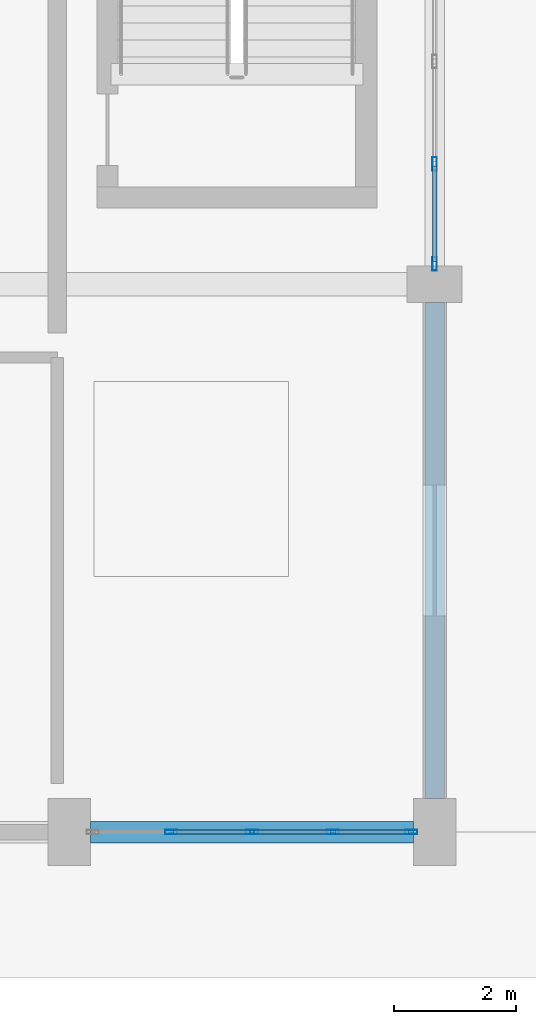
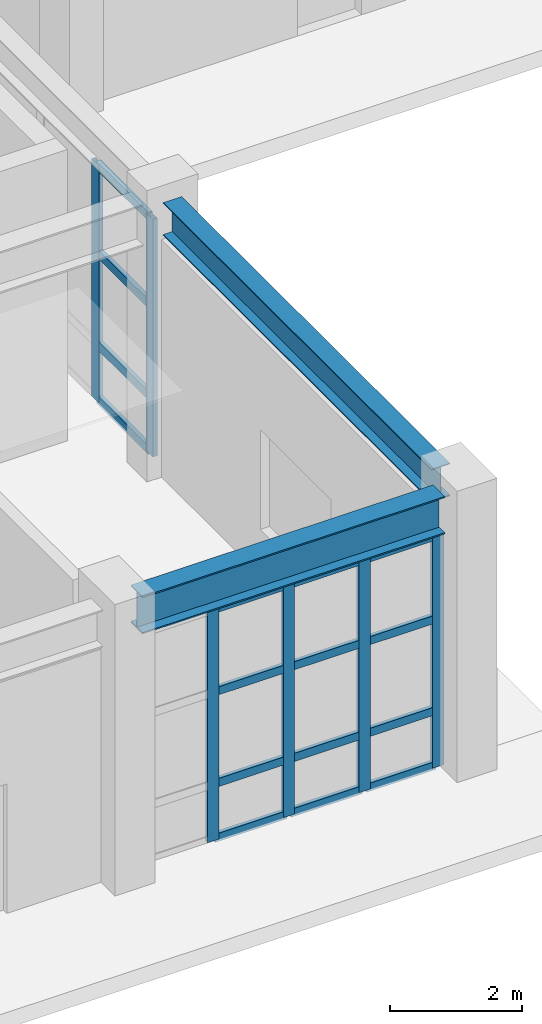
# One storey, part 20 of 91: 22 members, 2 beams, 2 elements without a shape of their own.
"""IFC4 building model written with IfcOpenShell, lengths in metres."""

from ifc_helpers import new_model, si_unit, direction, frame, origin, origin_2d, place, context, subcontext, project, spatial, hollow_rectangle, i_section, extrude, material, layer, layer_set, material_profile, profile_set, type_object, element, aggregate, save


model = new_model("IFC4")

# Units and contexts
model_context = context("Model", 3, precision=1e-05, world=origin(), true_north=direction((0.0, 1.0)))
body_context = subcontext(model_context, "Body", "Model", "MODEL_VIEW")
ifc_project = project(units=[si_unit("LENGTHUNIT", "METRE"), si_unit("AREAUNIT", "SQUARE_METRE"), si_unit("VOLUMEUNIT", "CUBIC_METRE"), si_unit("PLANEANGLEUNIT", "RADIAN"), si_unit("MASSUNIT", "GRAM", prefix="KILO")], contexts=[model_context])

# Site, building, storey
site_placement = place(None, origin())
site = spatial("IfcSite", under=ifc_project, at=site_placement, CompositionType="ELEMENT")
building_placement = place(site_placement, origin())
building = spatial("IfcBuilding", under=site, at=building_placement, Name="Vaelkrest Opera House", CompositionType="ELEMENT")
storey_placement = place(building_placement, origin())
storey = spatial("IfcBuildingStorey", under=building, at=storey_placement, Name="L00", CompositionType="ELEMENT", Elevation=0.0)

# Curtain wall, members
ifc_material_1 = material(Name="Dark bronze anodized aluminium", Category="aluminium")
ifc_layer_1 = layer(ifc_material_1, 0.18994140625)
ifc_layer_set_1 = layer_set([ifc_layer_1], Name="Dark bronze anodized aluminium")
curtain_wall_type_1 = type_object("IfcCurtainWallType", Name="CW02", PredefinedType="NOTDEFINED", material=ifc_layer_set_1)
curtain_wall_1_placement = place(storey_placement, origin())
curtain_wall_1 = element("IfcCurtainWall", 1, at=curtain_wall_1_placement, inside=storey, type_object=curtain_wall_type_1, Name="Curtain wall CW-L00-011", PredefinedType="NOTDEFINED")
ifc_material_profile_1 = material_profile(ifc_material_1, hollow_rectangle(XDim=0.070068359375, YDim=0.199951171875, WallThickness=0.004150390625, at=origin_2d()), Name="CWM70X200")
ifc_profile_set_1 = profile_set([ifc_material_profile_1], Name="Dark bronze anodized aluminium")
member_type_1 = type_object("IfcMemberType", Name="CWM02", PredefinedType="MULLION", material=ifc_profile_set_1)
member_1_placement = place(storey_placement, frame((29.616943359375, -55.800048828125, 0.0), z_axis=(0.0, 0.0, 1.0), x_axis=(0.0, -1.0, 0.0)))
member_1 = element("IfcMember", 2, at=member_1_placement, type_object=member_type_1, Name="CW02 mullion 1", PredefinedType="MULLION", context=body_context, shape_type="SweptSolid", body=[
    extrude(hollow_rectangle(XDim=0.070068359375, YDim=0.199951171875, WallThickness=0.004150390625, at=origin_2d()), origin(), (0.0, 0.0, 1.0), 4.320068359375),
])
member_2_placement = place(storey_placement, frame((28.325927734375, -55.800048828125, 0.0), z_axis=(0.0, 0.0, 1.0), x_axis=(0.0, -1.0, 0.0)))
member_2 = element("IfcMember", 3, at=member_2_placement, type_object=member_type_1, Name="CW02 mullion 2", PredefinedType="MULLION", context=body_context, shape_type="SweptSolid", body=[
    extrude(hollow_rectangle(XDim=0.070068359375, YDim=0.199951171875, WallThickness=0.004150390625, at=origin_2d()), origin(), (0.0, 0.0, 1.0), 4.320068359375),
])
member_3_placement = place(storey_placement, frame((27.0, -55.800048828125, 0.0), z_axis=(0.0, 0.0, 1.0), x_axis=(0.0, -1.0, 0.0)))
member_3 = element("IfcMember", 4, at=member_3_placement, type_object=member_type_1, Name="CW02 mullion 3", PredefinedType="MULLION", context=body_context, shape_type="SweptSolid", body=[
    extrude(hollow_rectangle(XDim=0.070068359375, YDim=0.199951171875, WallThickness=0.004150390625, at=origin_2d()), origin(), (0.0, 0.0, 1.0), 4.320068359375),
])
member_4_placement = place(storey_placement, frame((25.674072265625, -55.800048828125, 0.0), z_axis=(0.0, 0.0, 1.0), x_axis=(0.0, -1.0, 0.0)))
member_4 = element("IfcMember", 5, at=member_4_placement, type_object=member_type_1, Name="CW02 mullion 4", PredefinedType="MULLION", context=body_context, shape_type="SweptSolid", body=[
    extrude(hollow_rectangle(XDim=0.070068359375, YDim=0.199951171875, WallThickness=0.004150390625, at=origin_2d()), origin(), (0.0, 0.0, 1.0), 4.320068359375),
])

ifc_layer_2 = layer(ifc_material_1, 0.199951171875)
ifc_layer_set_2 = layer_set([ifc_layer_2], Name="Dark bronze anodized aluminium")
curtain_wall_type_2 = type_object("IfcCurtainWallType", Name="CW03", PredefinedType="NOTDEFINED", material=ifc_layer_set_2)
curtain_wall_2_placement = place(storey_placement, origin())
curtain_wall_2 = element("IfcCurtainWall", 6, at=curtain_wall_2_placement, inside=storey, type_object=curtain_wall_type_2, Name="Curtain wall CW-L00-019", PredefinedType="NOTDEFINED")
ifc_material_profile_2 = material_profile(ifc_material_1, hollow_rectangle(XDim=0.074951171875, YDim=0.219970703125, WallThickness=0.00439453125, at=origin_2d()), Name="CWM75X220")
ifc_profile_set_2 = profile_set([ifc_material_profile_2], Name="Dark bronze anodized aluminium")
member_type_2 = type_object("IfcMemberType", Name="CWM03", PredefinedType="MULLION", material=ifc_profile_set_2)
member_5_placement = place(storey_placement, frame((30.0, -44.8212890625, 0.0), z_axis=(0.0, 0.0, 1.0), x_axis=(1.0, 0.0, 0.0)))
member_5 = element("IfcMember", 7, at=member_5_placement, type_object=member_type_2, Name="CW03 mullion 5", PredefinedType="MULLION", context=body_context, shape_type="SweptSolid", body=[
    extrude(hollow_rectangle(XDim=0.074951171875, YDim=0.219970703125, WallThickness=0.00439453125, at=origin_2d()), origin(), (0.0, 0.0, 1.0), 4.404052734375),
])
member_6_placement = place(storey_placement, frame((30.0, -46.464599609375, 0.0), z_axis=(0.0, 0.0, 1.0), x_axis=(1.0, 0.0, 0.0)))
member_6 = element("IfcMember", 8, at=member_6_placement, type_object=member_type_2, Name="CW03 mullion 6", PredefinedType="MULLION", context=body_context, shape_type="SweptSolid", body=[
    extrude(hollow_rectangle(XDim=0.074951171875, YDim=0.219970703125, WallThickness=0.00439453125, at=origin_2d()), origin(), (0.0, 0.0, 1.0), 4.404052734375),
])

# Member
ifc_material_profile_3 = material_profile(ifc_material_1, hollow_rectangle(XDim=0.070068359375, YDim=0.14990234375, WallThickness=0.004150390625, at=origin_2d()), Name="CWT70X150")
ifc_profile_set_3 = profile_set([ifc_material_profile_3], Name="Dark bronze anodized aluminium")
member_type_3 = type_object("IfcMemberType", Name="CWT02", PredefinedType="USERDEFINED", material=ifc_profile_set_3)
member_7_placement = place(storey_placement, frame((29.58203125, -55.800048828125, 0.034912109375), z_axis=(-1.0, 0.0, 0.0), x_axis=(0.0, -1.0, 0.0)))
member_7 = element("IfcMember", 9, at=member_7_placement, type_object=member_type_3, Name="CW02 transom 1.1", ObjectType="TRANSOM", PredefinedType="USERDEFINED", context=body_context, shape_type="SweptSolid", body=[
    extrude(hollow_rectangle(XDim=0.070068359375, YDim=0.14990234375, WallThickness=0.004150390625, at=origin_2d()), origin(), (0.0, 0.0, 1.0), 1.220947265625),
])

member_8_placement = place(storey_placement, frame((29.58203125, -55.800048828125, 1.050048828125), z_axis=(-1.0, 0.0, 0.0), x_axis=(0.0, -1.0, 0.0)))
member_8 = element("IfcMember", 10, at=member_8_placement, type_object=member_type_3, Name="CW02 transom 1.2", ObjectType="TRANSOM", PredefinedType="USERDEFINED", context=body_context, shape_type="SweptSolid", body=[
    extrude(hollow_rectangle(XDim=0.070068359375, YDim=0.14990234375, WallThickness=0.004150390625, at=origin_2d()), origin(), (0.0, 0.0, 1.0), 1.220947265625),
])

member_9_placement = place(storey_placement, frame((29.58203125, -55.800048828125, 2.75), z_axis=(-1.0, 0.0, 0.0), x_axis=(0.0, -1.0, 0.0)))
member_9 = element("IfcMember", 11, at=member_9_placement, type_object=member_type_3, Name="CW02 transom 1.3", ObjectType="TRANSOM", PredefinedType="USERDEFINED", context=body_context, shape_type="SweptSolid", body=[
    extrude(hollow_rectangle(XDim=0.070068359375, YDim=0.14990234375, WallThickness=0.004150390625, at=origin_2d()), origin(), (0.0, 0.0, 1.0), 1.220947265625),
])

member_10_placement = place(storey_placement, frame((29.58203125, -55.800048828125, 4.284912109375), z_axis=(-1.0, 0.0, 0.0), x_axis=(0.0, -1.0, 0.0)))
member_10 = element("IfcMember", 12, at=member_10_placement, type_object=member_type_3, Name="CW02 transom 1.4", ObjectType="TRANSOM", PredefinedType="USERDEFINED", context=body_context, shape_type="SweptSolid", body=[
    extrude(hollow_rectangle(XDim=0.070068359375, YDim=0.14990234375, WallThickness=0.004150390625, at=origin_2d()), origin(), (0.0, 0.0, 1.0), 1.220947265625),
])

member_11_placement = place(storey_placement, frame((28.291015625, -55.800048828125, 0.034912109375), z_axis=(-1.0, 0.0, 0.0), x_axis=(0.0, -1.0, 0.0)))
member_11 = element("IfcMember", 13, at=member_11_placement, type_object=member_type_3, Name="CW02 transom 2.1", ObjectType="TRANSOM", PredefinedType="USERDEFINED", context=body_context, shape_type="SweptSolid", body=[
    extrude(hollow_rectangle(XDim=0.070068359375, YDim=0.14990234375, WallThickness=0.004150390625, at=origin_2d()), origin(), (0.0, 0.0, 1.0), 1.256103515625),
])

member_12_placement = place(storey_placement, frame((28.291015625, -55.800048828125, 1.050048828125), z_axis=(-1.0, 0.0, 0.0), x_axis=(0.0, -1.0, 0.0)))
member_12 = element("IfcMember", 14, at=member_12_placement, type_object=member_type_3, Name="CW02 transom 2.2", ObjectType="TRANSOM", PredefinedType="USERDEFINED", context=body_context, shape_type="SweptSolid", body=[
    extrude(hollow_rectangle(XDim=0.070068359375, YDim=0.14990234375, WallThickness=0.004150390625, at=origin_2d()), origin(), (0.0, 0.0, 1.0), 1.256103515625),
])

member_13_placement = place(storey_placement, frame((28.291015625, -55.800048828125, 2.75), z_axis=(-1.0, 0.0, 0.0), x_axis=(0.0, -1.0, 0.0)))
member_13 = element("IfcMember", 15, at=member_13_placement, type_object=member_type_3, Name="CW02 transom 2.3", ObjectType="TRANSOM", PredefinedType="USERDEFINED", context=body_context, shape_type="SweptSolid", body=[
    extrude(hollow_rectangle(XDim=0.070068359375, YDim=0.14990234375, WallThickness=0.004150390625, at=origin_2d()), origin(), (0.0, 0.0, 1.0), 1.256103515625),
])

member_14_placement = place(storey_placement, frame((28.291015625, -55.800048828125, 4.284912109375), z_axis=(-1.0, 0.0, 0.0), x_axis=(0.0, -1.0, 0.0)))
member_14 = element("IfcMember", 16, at=member_14_placement, type_object=member_type_3, Name="CW02 transom 2.4", ObjectType="TRANSOM", PredefinedType="USERDEFINED", context=body_context, shape_type="SweptSolid", body=[
    extrude(hollow_rectangle(XDim=0.070068359375, YDim=0.14990234375, WallThickness=0.004150390625, at=origin_2d()), origin(), (0.0, 0.0, 1.0), 1.256103515625),
])

member_15_placement = place(storey_placement, frame((26.965087890625, -55.800048828125, 0.034912109375), z_axis=(-1.0, 0.0, 0.0), x_axis=(0.0, -1.0, 0.0)))
member_15 = element("IfcMember", 17, at=member_15_placement, type_object=member_type_3, Name="CW02 transom 3.1", ObjectType="TRANSOM", PredefinedType="USERDEFINED", context=body_context, shape_type="SweptSolid", body=[
    extrude(hollow_rectangle(XDim=0.070068359375, YDim=0.14990234375, WallThickness=0.004150390625, at=origin_2d()), origin(), (0.0, 0.0, 1.0), 1.256103515625),
])

member_16_placement = place(storey_placement, frame((26.965087890625, -55.800048828125, 1.050048828125), z_axis=(-1.0, 0.0, 0.0), x_axis=(0.0, -1.0, 0.0)))
member_16 = element("IfcMember", 18, at=member_16_placement, type_object=member_type_3, Name="CW02 transom 3.2", ObjectType="TRANSOM", PredefinedType="USERDEFINED", context=body_context, shape_type="SweptSolid", body=[
    extrude(hollow_rectangle(XDim=0.070068359375, YDim=0.14990234375, WallThickness=0.004150390625, at=origin_2d()), origin(), (0.0, 0.0, 1.0), 1.256103515625),
])

member_17_placement = place(storey_placement, frame((26.965087890625, -55.800048828125, 2.75), z_axis=(-1.0, 0.0, 0.0), x_axis=(0.0, -1.0, 0.0)))
member_17 = element("IfcMember", 19, at=member_17_placement, type_object=member_type_3, Name="CW02 transom 3.3", ObjectType="TRANSOM", PredefinedType="USERDEFINED", context=body_context, shape_type="SweptSolid", body=[
    extrude(hollow_rectangle(XDim=0.070068359375, YDim=0.14990234375, WallThickness=0.004150390625, at=origin_2d()), origin(), (0.0, 0.0, 1.0), 1.256103515625),
])

member_18_placement = place(storey_placement, frame((26.965087890625, -55.800048828125, 4.284912109375), z_axis=(-1.0, 0.0, 0.0), x_axis=(0.0, -1.0, 0.0)))
member_18 = element("IfcMember", 20, at=member_18_placement, type_object=member_type_3, Name="CW02 transom 3.4", ObjectType="TRANSOM", PredefinedType="USERDEFINED", context=body_context, shape_type="SweptSolid", body=[
    extrude(hollow_rectangle(XDim=0.070068359375, YDim=0.14990234375, WallThickness=0.004150390625, at=origin_2d()), origin(), (0.0, 0.0, 1.0), 1.256103515625),
])

aggregate(curtain_wall_1, [member_1, member_2, member_3, member_4, member_7, member_8, member_9, member_10, member_11, member_12, member_13, member_14, member_15, member_16, member_17, member_18])

ifc_material_profile_4 = material_profile(ifc_material_1, hollow_rectangle(XDim=0.074951171875, YDim=0.159912109375, WallThickness=0.00439453125, at=origin_2d()), Name="CWT75X160")
ifc_profile_set_4 = profile_set([ifc_material_profile_4], Name="Dark bronze anodized aluminium")
member_type_4 = type_object("IfcMemberType", Name="CWT03", PredefinedType="USERDEFINED", material=ifc_profile_set_4)
member_19_placement = place(storey_placement, frame((30.0, -44.858642578125, 0.03759765625), z_axis=(0.0, -1.0, 0.0), x_axis=(1.0, 0.0, 0.0)))
member_19 = element("IfcMember", 21, at=member_19_placement, type_object=member_type_4, Name="CW03 transom 5.1", ObjectType="TRANSOM", PredefinedType="USERDEFINED", context=body_context, shape_type="SweptSolid", body=[
    extrude(hollow_rectangle(XDim=0.074951171875, YDim=0.159912109375, WallThickness=0.00439453125, at=origin_2d()), origin(), (0.0, 0.0, 1.0), 1.568359375),
])

member_20_placement = place(storey_placement, frame((30.0, -44.858642578125, 1.050048828125), z_axis=(0.0, -1.0, 0.0), x_axis=(1.0, 0.0, 0.0)))
member_20 = element("IfcMember", 22, at=member_20_placement, type_object=member_type_4, Name="CW03 transom 5.2", ObjectType="TRANSOM", PredefinedType="USERDEFINED", context=body_context, shape_type="SweptSolid", body=[
    extrude(hollow_rectangle(XDim=0.074951171875, YDim=0.159912109375, WallThickness=0.00439453125, at=origin_2d()), origin(), (0.0, 0.0, 1.0), 1.568359375),
])

member_21_placement = place(storey_placement, frame((30.0, -44.858642578125, 2.75), z_axis=(0.0, -1.0, 0.0), x_axis=(1.0, 0.0, 0.0)))
member_21 = element("IfcMember", 23, at=member_21_placement, type_object=member_type_4, Name="CW03 transom 5.3", ObjectType="TRANSOM", PredefinedType="USERDEFINED", context=body_context, shape_type="SweptSolid", body=[
    extrude(hollow_rectangle(XDim=0.074951171875, YDim=0.159912109375, WallThickness=0.00439453125, at=origin_2d()), origin(), (0.0, 0.0, 1.0), 1.568359375),
])

member_22_placement = place(storey_placement, frame((30.0, -44.858642578125, 4.366455078125), z_axis=(0.0, -1.0, 0.0), x_axis=(1.0, 0.0, 0.0)))
member_22 = element("IfcMember", 24, at=member_22_placement, type_object=member_type_4, Name="CW03 transom 5.4", ObjectType="TRANSOM", PredefinedType="USERDEFINED", context=body_context, shape_type="SweptSolid", body=[
    extrude(hollow_rectangle(XDim=0.074951171875, YDim=0.159912109375, WallThickness=0.00439453125, at=origin_2d()), origin(), (0.0, 0.0, 1.0), 1.568359375),
])

aggregate(curtain_wall_2, [member_5, member_6, member_19, member_20, member_21, member_22])

# Beams
ifc_material_2 = material(Name="Steel A992 Gr50", Category="steel")
ifc_material_profile_5 = material_profile(ifc_material_2, i_section(OverallWidth=0.323974609375, OverallDepth=0.611083984375, WebThickness=0.0126953125, FlangeThickness=0.01904296875, at=origin_2d()), Name="W24X104")
ifc_profile_set_5 = profile_set([ifc_material_profile_5], Name="Steel A992 Gr50")
beam_type_1 = type_object("IfcBeamType", Name="SP01", PredefinedType="SPANDREL", material=ifc_profile_set_5)
beam_1_placement = place(storey_placement, frame((30.0, -55.25, 4.7744140625), z_axis=(0.0, 1.0, 0.0), x_axis=(-1.0, 0.0, 0.0)))
element("IfcBeam", 25, at=beam_1_placement, inside=storey, type_object=beam_type_1, Name="Beam BM-V1-L00-0181", PredefinedType="SPANDREL", context=body_context, shape_type="SweptSolid", body=[
    extrude(i_section(OverallWidth=0.323974609375, OverallDepth=0.611083984375, WebThickness=0.0126953125, FlangeThickness=0.01904296875, at=origin_2d()), origin(), (0.0, 0.0, 1.0), 8.14990234375),
])
ifc_material_profile_6 = material_profile(ifc_material_2, i_section(OverallWidth=0.35498046875, OverallDepth=0.695068359375, WebThickness=0.015380859375, FlangeThickness=0.02490234375, at=origin_2d()), Name="W27X146")
ifc_profile_set_6 = profile_set([ifc_material_profile_6], Name="Steel A992 Gr50")
beam_type_2 = type_object("IfcBeamType", Name="SP02", PredefinedType="SPANDREL", material=ifc_profile_set_6)
beam_2_placement = place(storey_placement, frame((24.35009765625, -55.800048828125, 4.732421875), z_axis=(1.0, 0.0, 0.0), x_axis=(0.0, 1.0, 0.0)))
element("IfcBeam", 26, at=beam_2_placement, inside=storey, type_object=beam_type_2, Name="Beam BM-V1-L00-0094", PredefinedType="SPANDREL", context=body_context, shape_type="SweptSolid", body=[
    extrude(i_section(OverallWidth=0.35498046875, OverallDepth=0.695068359375, WebThickness=0.015380859375, FlangeThickness=0.02490234375, at=origin_2d()), origin(), (0.0, 0.0, 1.0), 5.2998046875),
])

save(model, "model.ifc")
